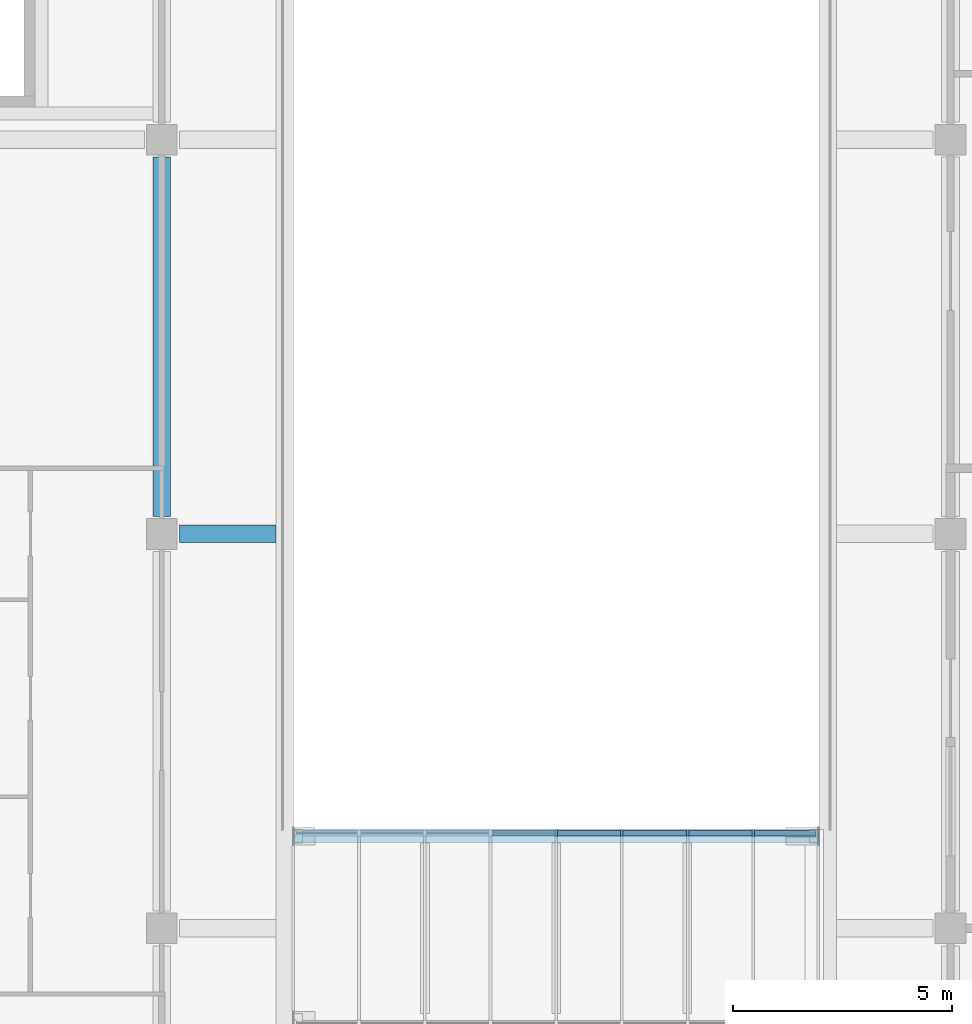
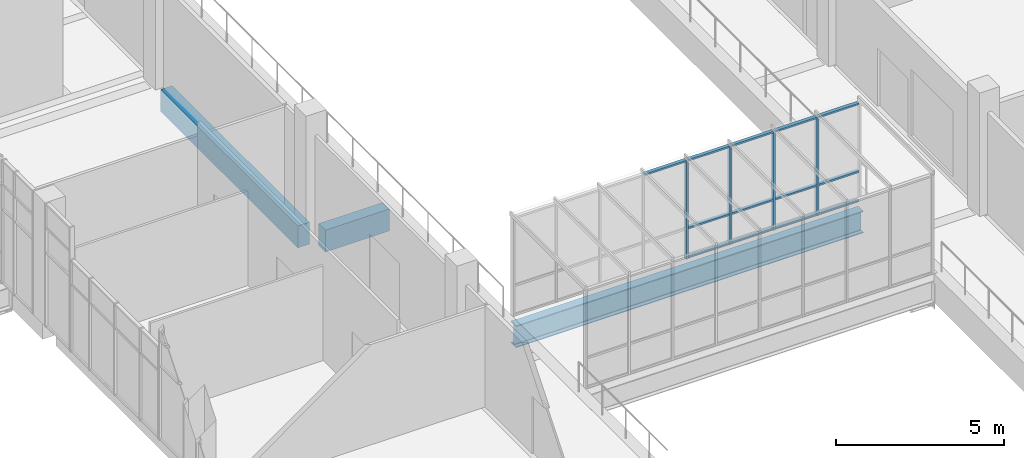
# One storey, part 18 of 106: 17 members, 3 beams, 1 element without a shape of its own.
"""IFC4 building model written with IfcOpenShell, lengths in metres."""

from ifc_helpers import new_model, si_unit, direction, frame, origin, origin_2d, place, context, subcontext, project, spatial, rectangle, i_section, extrude, material, layer, layer_set, material_profile, profile_set, type_object, element, aggregate, save


model = new_model("IFC4")

# Units and contexts
model_context = context("Model", 3, precision=1e-05, world=origin(), true_north=direction((0.0, 1.0)))
body_context = subcontext(model_context, "Body", "Model", "MODEL_VIEW")
ifc_project = project(units=[si_unit("LENGTHUNIT", "METRE"), si_unit("AREAUNIT", "SQUARE_METRE"), si_unit("VOLUMEUNIT", "CUBIC_METRE"), si_unit("PLANEANGLEUNIT", "RADIAN"), si_unit("MASSUNIT", "GRAM", prefix="KILO")], contexts=[model_context])

# Site, building, storey
site_placement = place(None, origin())
site = spatial("IfcSite", under=ifc_project, at=site_placement, CompositionType="ELEMENT")
building_placement = place(site_placement, origin())
building = spatial("IfcBuilding", under=site, at=building_placement, Name="Guidao Yard Department Store", CompositionType="ELEMENT")
storey_placement = place(building_placement, frame((0.0, 0.0, 10.5)))
storey = spatial("IfcBuildingStorey", under=building, at=storey_placement, Name="L02", CompositionType="ELEMENT", Elevation=10.5)

# Beams
ifc_material_1 = material(Name="Concrete C40", Category="concrete")
ifc_material_profile_1 = material_profile(ifc_material_1, rectangle(XDim=0.39990234375, YDim=0.800048828125, at=origin_2d()), Name="Edge beam 400 x 800 C40")
ifc_profile_set_1 = profile_set([ifc_material_profile_1], Name="Concrete C40")
beam_type_1 = type_object("IfcBeamType", Name="Edge beam 400 x 800 C40", PredefinedType="BEAM", material=ifc_profile_set_1)
beam_1_placement = place(storey_placement, frame((81.0, 72.39990234375, -0.39990234375), z_axis=(0.0, 1.0, 0.0), x_axis=(-1.0, 0.0, 0.0)))
element("IfcBeam", 1, at=beam_1_placement, inside=storey, type_object=beam_type_1, Name="Beam EB35", PredefinedType="BEAM", context=body_context, shape_type="SweptSolid", body=[
    extrude(rectangle(XDim=0.39990234375, YDim=0.800048828125, at=origin_2d()), origin(), (0.0, 0.0, 1.0), 8.2001953125),
])
beam_2_placement = place(storey_placement, frame((81.39990234375, 72.0, -0.39990234375), z_axis=(1.0, 0.0, 0.0), x_axis=(0.0, 1.0, 0.0)))
element("IfcBeam", 2, at=beam_2_placement, inside=storey, type_object=beam_type_1, Name="Beam EB41", PredefinedType="BEAM", context=body_context, shape_type="SweptSolid", body=[
    extrude(rectangle(XDim=0.39990234375, YDim=0.800048828125, at=origin_2d()), origin(), (0.0, 0.0, 1.0), 2.2001953125),
])
ifc_material_2 = material(Name="Steel Q355B", Category="steel")
ifc_material_profile_2 = material_profile(ifc_material_2, i_section(OverallWidth=0.300048828125, OverallDepth=0.800048828125, WebThickness=0.013916015625, FlangeThickness=0.02587890625, FilletRadius=0.01806640625, at=origin_2d()), Name="HN 800x300x14x26")
ifc_profile_set_2 = profile_set([ifc_material_profile_2], Name="Steel Q355B")
beam_type_2 = type_object("IfcBeamType", Name="HN 800x300x14x26", PredefinedType="BEAM", material=ifc_profile_set_2)
beam_3_placement = place(storey_placement, frame((84.014892578125, 65.10009765625, -0.64990234375), z_axis=(1.0, 0.0, 0.0), x_axis=(0.0, 1.0, 0.0)))
element("IfcBeam", 3, at=beam_3_placement, inside=storey, type_object=beam_type_2, Name="Bridge girder BR11N", PredefinedType="BEAM", context=body_context, shape_type="SweptSolid", body=[
    extrude(i_section(OverallWidth=0.300048828125, OverallDepth=0.800048828125, WebThickness=0.013916015625, FlangeThickness=0.02587890625, FilletRadius=0.01806640625, at=origin_2d()), origin(), (0.0, 0.0, 1.0), 11.97021484375),
])

# Curtain wall, members
ifc_material_3 = material(Name="Aluminium and glass", Category="aluminium")
ifc_layer = layer(ifc_material_3, 0.159912109375)
ifc_layer_set = layer_set([ifc_layer], Name="Bridge glazing CW5 1500 module")
curtain_wall_type = type_object("IfcCurtainWallType", Name="Bridge glazing CW5 1500 module", PredefinedType="NOTDEFINED", material=ifc_layer_set)
curtain_wall_placement = place(storey_placement, origin())
curtain_wall = element("IfcCurtainWall", 4, at=curtain_wall_placement, inside=storey, type_object=curtain_wall_type, Name="Bridge glazing BR11 N", PredefinedType="NOTDEFINED")
ifc_material_4 = material(Name="Aluminium 6063-T5", Category="aluminium")
ifc_material_profile_3 = material_profile(ifc_material_4, rectangle(XDim=0.06005859375, YDim=0.159912109375, at=origin_2d()), Name="Mullion M1 60 x 160 aluminium pressure plate")
ifc_profile_set_3 = profile_set([ifc_material_profile_3], Name="Aluminium 6063-T5")
member_type_1 = type_object("IfcMemberType", Name="Mullion M1 60 x 160 aluminium pressure plate", PredefinedType="MULLION", material=ifc_profile_set_3)
member_1_placement = place(storey_placement, frame((90.0, 65.169921875, 0.0), z_axis=(0.0, 0.0, 1.0), x_axis=(1.0, 0.0, 0.0)))
member_1 = element("IfcMember", 5, at=member_1_placement, type_object=member_type_1, Name="CW-N-L02-09 mullion 5", PredefinedType="MULLION", context=body_context, shape_type="SweptSolid", body=[
    extrude(rectangle(XDim=0.06005859375, YDim=0.159912109375, at=origin_2d()), origin(), (0.0, 0.0, 1.0), 3.60009765625),
])
member_2_placement = place(storey_placement, frame((91.5, 65.169921875, 0.0), z_axis=(0.0, 0.0, 1.0), x_axis=(1.0, 0.0, 0.0)))
member_2 = element("IfcMember", 6, at=member_2_placement, type_object=member_type_1, Name="CW-N-L02-09 mullion 6", PredefinedType="MULLION", context=body_context, shape_type="SweptSolid", body=[
    extrude(rectangle(XDim=0.06005859375, YDim=0.159912109375, at=origin_2d()), origin(), (0.0, 0.0, 1.0), 3.60009765625),
])
member_3_placement = place(storey_placement, frame((93.0, 65.169921875, 0.0), z_axis=(0.0, 0.0, 1.0), x_axis=(1.0, 0.0, 0.0)))
member_3 = element("IfcMember", 7, at=member_3_placement, type_object=member_type_1, Name="CW-N-L02-09 mullion 7", PredefinedType="MULLION", context=body_context, shape_type="SweptSolid", body=[
    extrude(rectangle(XDim=0.06005859375, YDim=0.159912109375, at=origin_2d()), origin(), (0.0, 0.0, 1.0), 3.60009765625),
])
member_4_placement = place(storey_placement, frame((94.5, 65.169921875, 0.0), z_axis=(0.0, 0.0, 1.0), x_axis=(1.0, 0.0, 0.0)))
member_4 = element("IfcMember", 8, at=member_4_placement, type_object=member_type_1, Name="CW-N-L02-09 mullion 8", PredefinedType="MULLION", context=body_context, shape_type="SweptSolid", body=[
    extrude(rectangle(XDim=0.06005859375, YDim=0.159912109375, at=origin_2d()), origin(), (0.0, 0.0, 1.0), 3.60009765625),
])
ifc_material_5 = material(Name="Aluminium 6063-T5", Category="aluminium")
ifc_material_profile_4 = material_profile(ifc_material_5, rectangle(XDim=0.1201171875, YDim=0.06005859375, at=origin_2d()), Name="Transom T1 60 x 120 aluminium pressure plate")
ifc_profile_set_4 = profile_set([ifc_material_profile_4], Name="Aluminium 6063-T5")
member_type_2 = type_object("IfcMemberType", Name="Transom T1 60 x 120 aluminium pressure plate", PredefinedType="USERDEFINED", material=ifc_profile_set_4)
member_5_placement = place(storey_placement, frame((88.530029296875, 65.169921875, 3.570068359375), z_axis=(1.0, 0.0, 0.0), x_axis=(0.0, 1.0, 0.0)))
member_5 = element("IfcMember", 9, at=member_5_placement, type_object=member_type_2, Name="CW-N-L02-09 transom 4.3", ObjectType="TRANSOM", PredefinedType="USERDEFINED", context=body_context, shape_type="SweptSolid", body=[
    extrude(rectangle(XDim=0.1201171875, YDim=0.06005859375, at=origin_2d()), origin(), (0.0, 0.0, 1.0), 1.43994140625),
])
member_6_placement = place(storey_placement, frame((90.030029296875, 65.169921875, 0.030029296875), z_axis=(1.0, 0.0, 0.0), x_axis=(0.0, 1.0, 0.0)))
member_6 = element("IfcMember", 10, at=member_6_placement, type_object=member_type_2, Name="CW-N-L02-09 transom 5.1", ObjectType="TRANSOM", PredefinedType="USERDEFINED", context=body_context, shape_type="SweptSolid", body=[
    extrude(rectangle(XDim=0.1201171875, YDim=0.06005859375, at=origin_2d()), origin(), (0.0, 0.0, 1.0), 1.43994140625),
])
member_7_placement = place(storey_placement, frame((90.030029296875, 65.169921875, 1.10009765625), z_axis=(1.0, 0.0, 0.0), x_axis=(0.0, 1.0, 0.0)))
member_7 = element("IfcMember", 11, at=member_7_placement, type_object=member_type_2, Name="CW-N-L02-09 transom 5.2", ObjectType="TRANSOM", PredefinedType="USERDEFINED", context=body_context, shape_type="SweptSolid", body=[
    extrude(rectangle(XDim=0.1201171875, YDim=0.06005859375, at=origin_2d()), origin(), (0.0, 0.0, 1.0), 1.43994140625),
])
member_8_placement = place(storey_placement, frame((90.030029296875, 65.169921875, 3.570068359375), z_axis=(1.0, 0.0, 0.0), x_axis=(0.0, 1.0, 0.0)))
member_8 = element("IfcMember", 12, at=member_8_placement, type_object=member_type_2, Name="CW-N-L02-09 transom 5.3", ObjectType="TRANSOM", PredefinedType="USERDEFINED", context=body_context, shape_type="SweptSolid", body=[
    extrude(rectangle(XDim=0.1201171875, YDim=0.06005859375, at=origin_2d()), origin(), (0.0, 0.0, 1.0), 1.43994140625),
])
member_9_placement = place(storey_placement, frame((91.530029296875, 65.169921875, 0.030029296875), z_axis=(1.0, 0.0, 0.0), x_axis=(0.0, 1.0, 0.0)))
member_9 = element("IfcMember", 13, at=member_9_placement, type_object=member_type_2, Name="CW-N-L02-09 transom 6.1", ObjectType="TRANSOM", PredefinedType="USERDEFINED", context=body_context, shape_type="SweptSolid", body=[
    extrude(rectangle(XDim=0.1201171875, YDim=0.06005859375, at=origin_2d()), origin(), (0.0, 0.0, 1.0), 1.43994140625),
])
member_10_placement = place(storey_placement, frame((91.530029296875, 65.169921875, 1.10009765625), z_axis=(1.0, 0.0, 0.0), x_axis=(0.0, 1.0, 0.0)))
member_10 = element("IfcMember", 14, at=member_10_placement, type_object=member_type_2, Name="CW-N-L02-09 transom 6.2", ObjectType="TRANSOM", PredefinedType="USERDEFINED", context=body_context, shape_type="SweptSolid", body=[
    extrude(rectangle(XDim=0.1201171875, YDim=0.06005859375, at=origin_2d()), origin(), (0.0, 0.0, 1.0), 1.43994140625),
])
member_11_placement = place(storey_placement, frame((91.530029296875, 65.169921875, 3.570068359375), z_axis=(1.0, 0.0, 0.0), x_axis=(0.0, 1.0, 0.0)))
member_11 = element("IfcMember", 15, at=member_11_placement, type_object=member_type_2, Name="CW-N-L02-09 transom 6.3", ObjectType="TRANSOM", PredefinedType="USERDEFINED", context=body_context, shape_type="SweptSolid", body=[
    extrude(rectangle(XDim=0.1201171875, YDim=0.06005859375, at=origin_2d()), origin(), (0.0, 0.0, 1.0), 1.43994140625),
])
member_12_placement = place(storey_placement, frame((93.030029296875, 65.169921875, 0.030029296875), z_axis=(1.0, 0.0, 0.0), x_axis=(0.0, 1.0, 0.0)))
member_12 = element("IfcMember", 16, at=member_12_placement, type_object=member_type_2, Name="CW-N-L02-09 transom 7.1", ObjectType="TRANSOM", PredefinedType="USERDEFINED", context=body_context, shape_type="SweptSolid", body=[
    extrude(rectangle(XDim=0.1201171875, YDim=0.06005859375, at=origin_2d()), origin(), (0.0, 0.0, 1.0), 1.43994140625),
])
member_13_placement = place(storey_placement, frame((93.030029296875, 65.169921875, 1.10009765625), z_axis=(1.0, 0.0, 0.0), x_axis=(0.0, 1.0, 0.0)))
member_13 = element("IfcMember", 17, at=member_13_placement, type_object=member_type_2, Name="CW-N-L02-09 transom 7.2", ObjectType="TRANSOM", PredefinedType="USERDEFINED", context=body_context, shape_type="SweptSolid", body=[
    extrude(rectangle(XDim=0.1201171875, YDim=0.06005859375, at=origin_2d()), origin(), (0.0, 0.0, 1.0), 1.43994140625),
])
member_14_placement = place(storey_placement, frame((93.030029296875, 65.169921875, 3.570068359375), z_axis=(1.0, 0.0, 0.0), x_axis=(0.0, 1.0, 0.0)))
member_14 = element("IfcMember", 18, at=member_14_placement, type_object=member_type_2, Name="CW-N-L02-09 transom 7.3", ObjectType="TRANSOM", PredefinedType="USERDEFINED", context=body_context, shape_type="SweptSolid", body=[
    extrude(rectangle(XDim=0.1201171875, YDim=0.06005859375, at=origin_2d()), origin(), (0.0, 0.0, 1.0), 1.43994140625),
])
member_15_placement = place(storey_placement, frame((94.530029296875, 65.169921875, 0.030029296875), z_axis=(1.0, 0.0, 0.0), x_axis=(0.0, 1.0, 0.0)))
member_15 = element("IfcMember", 19, at=member_15_placement, type_object=member_type_2, Name="CW-N-L02-09 transom 8.1", ObjectType="TRANSOM", PredefinedType="USERDEFINED", context=body_context, shape_type="SweptSolid", body=[
    extrude(rectangle(XDim=0.1201171875, YDim=0.06005859375, at=origin_2d()), origin(), (0.0, 0.0, 1.0), 1.39501953125),
])
member_16_placement = place(storey_placement, frame((94.530029296875, 65.169921875, 1.10009765625), z_axis=(1.0, 0.0, 0.0), x_axis=(0.0, 1.0, 0.0)))
member_16 = element("IfcMember", 20, at=member_16_placement, type_object=member_type_2, Name="CW-N-L02-09 transom 8.2", ObjectType="TRANSOM", PredefinedType="USERDEFINED", context=body_context, shape_type="SweptSolid", body=[
    extrude(rectangle(XDim=0.1201171875, YDim=0.06005859375, at=origin_2d()), origin(), (0.0, 0.0, 1.0), 1.39501953125),
])
member_17_placement = place(storey_placement, frame((94.530029296875, 65.169921875, 3.570068359375), z_axis=(1.0, 0.0, 0.0), x_axis=(0.0, 1.0, 0.0)))
member_17 = element("IfcMember", 21, at=member_17_placement, type_object=member_type_2, Name="CW-N-L02-09 transom 8.3", ObjectType="TRANSOM", PredefinedType="USERDEFINED", context=body_context, shape_type="SweptSolid", body=[
    extrude(rectangle(XDim=0.1201171875, YDim=0.06005859375, at=origin_2d()), origin(), (0.0, 0.0, 1.0), 1.39501953125),
])
aggregate(curtain_wall, [member_1, member_2, member_3, member_4, member_5, member_6, member_7, member_8, member_9, member_10, member_11, member_12, member_13, member_14, member_15, member_16, member_17])

save(model, "model.ifc")
